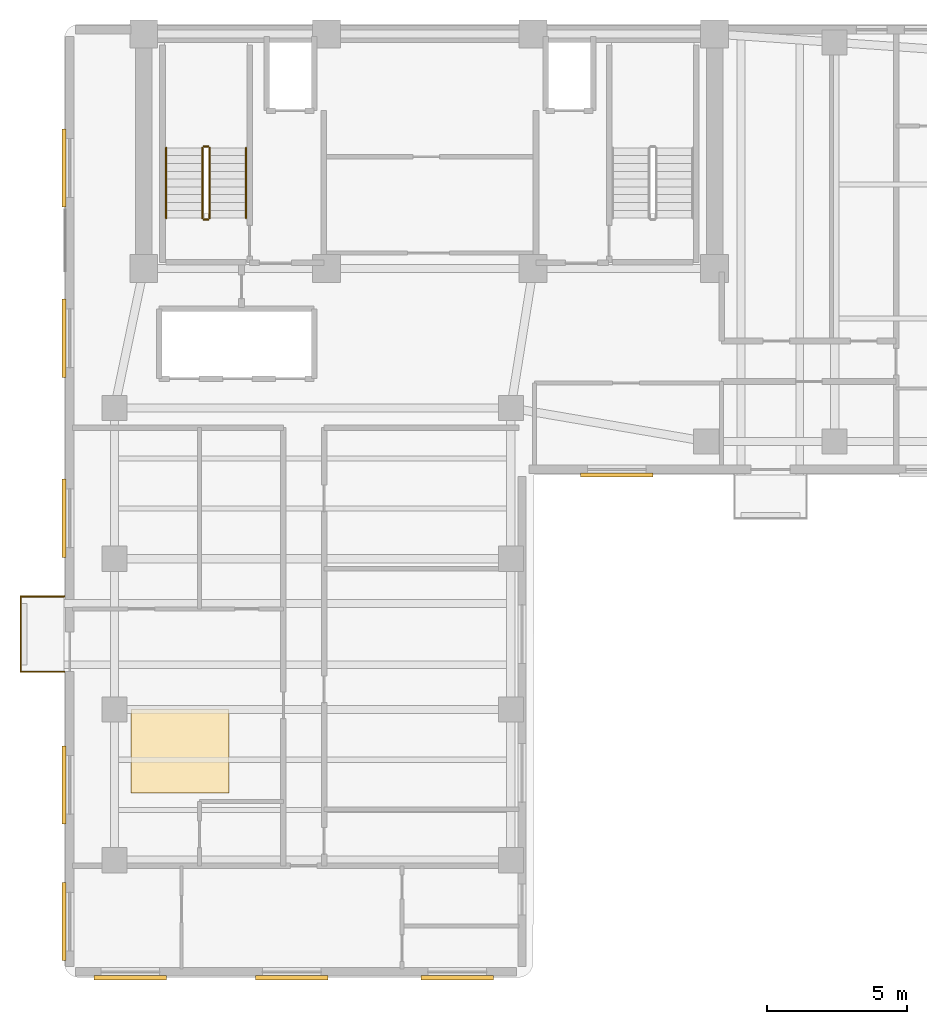
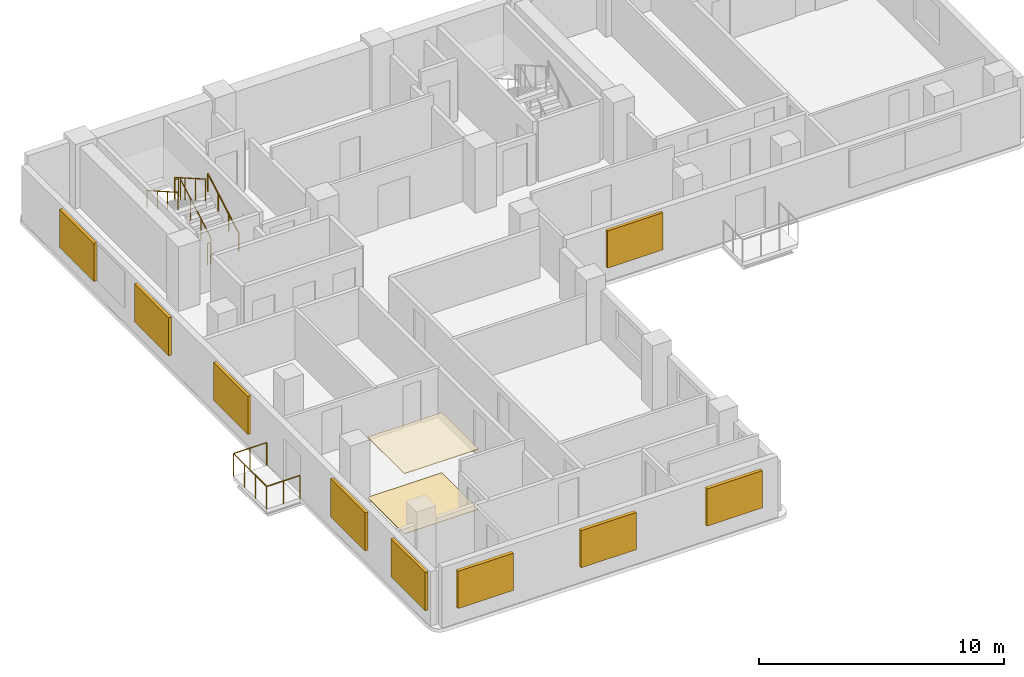
# One storey, part 6 of 7: 9 railings, 9 shading devices, 2 coverings.
"""IFC4 building model written with IfcOpenShell, lengths in metres."""

from ifc_helpers import new_model, si_unit, direction, frame, origin, origin_2d, place, context, subcontext, project, spatial, polyline, rectangle, circle, outline, extrude, material, layer, layer_set, type_object, element, save


model = new_model("IFC4")

# Units and contexts
model_context = context("Model", 3, precision=1e-05, world=origin(), true_north=direction((0.0, 1.0)))
body_context = subcontext(model_context, "Body", "Model", "MODEL_VIEW")
ifc_project = project(units=[si_unit("LENGTHUNIT", "METRE"), si_unit("AREAUNIT", "SQUARE_METRE"), si_unit("VOLUMEUNIT", "CUBIC_METRE"), si_unit("PLANEANGLEUNIT", "RADIAN"), si_unit("MASSUNIT", "GRAM", prefix="KILO")], contexts=[model_context])

# Site, building, storey
site_placement = place(None, origin())
site = spatial("IfcSite", under=ifc_project, at=site_placement, CompositionType="ELEMENT")
building_placement = place(site_placement, origin())
building = spatial("IfcBuilding", under=site, at=building_placement, Name="Kuzgunbayir Cultural Tower", CompositionType="ELEMENT")
storey_placement = place(building_placement, frame((0.0, 0.0, 185.60009765625)))
storey = spatial("IfcBuildingStorey", under=building, at=storey_placement, Name="L54", CompositionType="ELEMENT", Elevation=185.60009765625)

# Coverings
ifc_material_1 = material(Name="Perforated Gypsum Acoustic Tile", Category="gypsum")
ifc_layer_1 = layer(ifc_material_1, 0.02490234375)
ifc_layer_set_1 = layer_set([ifc_layer_1], Name="Perforated Gypsum Acoustic Tile")
covering_type_1 = type_object("IfcCoveringType", Name="COV-CEIL-ACOUSTIC", PredefinedType="CEILING", material=ifc_layer_set_1)
covering_1_placement = place(storey_placement, frame((0.0, 0.0, 2.989990234375)))
element("IfcCovering", 1, at=covering_1_placement, inside=storey, type_object=covering_type_1, Name="L54 Acoustic Soffit Ceiling", PredefinedType="CEILING", context=body_context, shape_type="SweptSolid", body=[
    extrude(outline(polyline([(6.0, 15.0), (9.5, 15.0), (9.5, 18.0), (6.0, 18.0), (6.0, 15.0)])), origin(), (0.0, 0.0, 1.0), 0.030029296875),
])
ifc_material_2 = material(Name="Engineered Anatolian Oak Parquet", Category="wood")
ifc_layer_2 = layer(ifc_material_2, 0.02197265625)
ifc_layer_set_2 = layer_set([ifc_layer_2], Name="Engineered Anatolian Oak Parquet")
covering_type_2 = type_object("IfcCoveringType", Name="COV-FLOOR-OAK", PredefinedType="FLOORING", material=ifc_layer_set_2)
covering_2_placement = place(storey_placement, origin())
element("IfcCovering", 2, at=covering_2_placement, inside=storey, type_object=covering_type_2, Name="L54 Acoustic Floor Finish", PredefinedType="FLOORING", context=body_context, shape_type="SweptSolid", body=[
    extrude(outline(polyline([(6.0, 15.0), (9.5, 15.0), (9.5, 18.0), (6.0, 18.0), (6.0, 15.0)])), origin(), (0.0, 0.0, 1.0), 0.02001953125),
])

# Railings
ifc_material_3 = material(Name="Laminated Glass and Stainless Steel", Category="steel")
ifc_layer_3 = layer(ifc_material_3, 0.080078125)
ifc_layer_set_3 = layer_set([ifc_layer_3], Name="Laminated Glass and Stainless Steel")
railing_type_1 = type_object("IfcRailingType", Name="RLG-BAL-115", PredefinedType="BALUSTRADE", material=ifc_layer_set_3)
railing_1_placement = place(storey_placement, frame((3.60009765625, 19.35009765625, 0.0)))
element("IfcRailing", 3, at=railing_1_placement, inside=storey, type_object=railing_type_1, Name="L54 Balcony Guard BAL-L54-WA2 Segment 1", PredefinedType="BALUSTRADE", context=body_context, shape_type="SweptSolid", body=[
    extrude(circle(Radius=0.02392578125, at=origin_2d()), frame((0.0, 0.0, 1.1259765625), z_axis=(-1.0, 0.0, 0.0), x_axis=(0.0, -1.0, 0.0)), (0.0, 0.0, 1.0), 1.56005859375),
    extrude(circle(Radius=0.02099609375, at=origin_2d()), origin(), (0.0, 0.0, 1.0), 1.101806640625),
    extrude(circle(Radius=0.02099609375, at=origin_2d()), frame((-0.780029296875, 0.0, 0.0)), (0.0, 0.0, 1.0), 1.101806640625),
    extrude(circle(Radius=0.02099609375, at=origin_2d()), frame((-1.56005859375, 0.0, 0.0)), (0.0, 0.0, 1.0), 1.101806640625),
])
railing_2_placement = place(storey_placement, frame((2.0400390625, 19.35009765625, 0.0)))
element("IfcRailing", 4, at=railing_2_placement, inside=storey, type_object=railing_type_1, Name="L54 Balcony Guard BAL-L54-WA2 Segment 2", PredefinedType="BALUSTRADE", context=body_context, shape_type="SweptSolid", body=[
    extrude(circle(Radius=0.02392578125, at=origin_2d()), frame((0.0, 0.0, 1.1259765625), z_axis=(0.0, 1.0, 0.0), x_axis=(-1.0, 0.0, 0.0)), (0.0, 0.0, 1.0), 2.699951171875),
    extrude(circle(Radius=0.02099609375, at=origin_2d()), origin(), (0.0, 0.0, 1.0), 1.101806640625),
    extrude(circle(Radius=0.02099609375, at=origin_2d()), frame((0.0, 0.89990234375, 0.0)), (0.0, 0.0, 1.0), 1.101806640625),
    extrude(circle(Radius=0.02099609375, at=origin_2d()), frame((0.0, 1.800048828125, 0.0)), (0.0, 0.0, 1.0), 1.101806640625),
    extrude(circle(Radius=0.02099609375, at=origin_2d()), frame((0.0, 2.699951171875, 0.0)), (0.0, 0.0, 1.0), 1.101806640625),
])
railing_3_placement = place(storey_placement, frame((2.0400390625, 22.050048828125, 0.0)))
element("IfcRailing", 5, at=railing_3_placement, inside=storey, type_object=railing_type_1, Name="L54 Balcony Guard BAL-L54-WA2 Segment 3", PredefinedType="BALUSTRADE", context=body_context, shape_type="SweptSolid", body=[
    extrude(circle(Radius=0.02392578125, at=origin_2d()), frame((0.0, 0.0, 1.1259765625), z_axis=(1.0, 0.0, 0.0), x_axis=(0.0, 1.0, 0.0)), (0.0, 0.0, 1.0), 1.56005859375),
    extrude(circle(Radius=0.02099609375, at=origin_2d()), origin(), (0.0, 0.0, 1.0), 1.101806640625),
    extrude(circle(Radius=0.02099609375, at=origin_2d()), frame((0.780029296875, 0.0, 0.0)), (0.0, 0.0, 1.0), 1.101806640625),
    extrude(circle(Radius=0.02099609375, at=origin_2d()), frame((1.56005859375, 0.0, 0.0)), (0.0, 0.0, 1.0), 1.101806640625),
])
ifc_material_4 = material(Name="Brushed Stainless Steel", Category="steel")
ifc_layer_4 = layer(ifc_material_4, 0.050048828125)
ifc_layer_set_4 = layer_set([ifc_layer_4], Name="Brushed Stainless Steel")
railing_type_2 = type_object("IfcRailingType", Name="RLG-STAIR-HANDRAIL", PredefinedType="HANDRAIL", material=ifc_layer_set_4)
railing_4_placement = place(storey_placement, frame((10.110107421875, 35.60009765625, 0.159912109375)))
element("IfcRailing", 6, at=railing_4_placement, inside=storey, type_object=railing_type_2, Name="L54 ST-1 stair handrail 1", PredefinedType="HANDRAIL", context=body_context, shape_type="SweptSolid", body=[
    extrude(circle(Radius=0.02392578125, at=origin_2d()), frame((0.0, 0.0, 0.8759765625), z_axis=(0.0, 0.868253494771, 0.496120820787), x_axis=(-1.0, 0.0, 0.0)), (0.0, 0.0, 1.0), 2.90234375),
    extrude(circle(Radius=0.02099609375, at=origin_2d()), origin(), (0.0, 0.0, 1.0), 0.851806640625),
    extrude(circle(Radius=0.02099609375, at=origin_2d()), frame((0.0, 0.840087890625, 0.47998046875)), (0.0, 0.0, 1.0), 0.851806640625),
    extrude(circle(Radius=0.02099609375, at=origin_2d()), frame((0.0, 1.679931640625, 0.9599609375)), (0.0, 0.0, 1.0), 0.851806640625),
    extrude(circle(Radius=0.02099609375, at=origin_2d()), frame((0.0, 2.52001953125, 1.43994140625)), (0.0, 0.0, 1.0), 0.851806640625),
])
railing_5_placement = place(storey_placement, frame((7.25, 38.1201171875, 1.760009765625)))
element("IfcRailing", 7, at=railing_5_placement, inside=storey, type_object=railing_type_2, Name="L54 ST-1 stair handrail 2", PredefinedType="HANDRAIL", context=body_context, shape_type="SweptSolid", body=[
    extrude(circle(Radius=0.02392578125, at=origin_2d()), frame((0.0, 0.0, 0.8759765625), z_axis=(0.0, -0.868253494771, 0.496120820787), x_axis=(1.0, 0.0, 0.0)), (0.0, 0.0, 1.0), 2.90234375),
    extrude(circle(Radius=0.02099609375, at=origin_2d()), origin(), (0.0, 0.0, 1.0), 0.851806640625),
    extrude(circle(Radius=0.02099609375, at=origin_2d()), frame((0.0, -0.840087890625, 0.47998046875)), (0.0, 0.0, 1.0), 0.851806640625),
    extrude(circle(Radius=0.02099609375, at=origin_2d()), frame((0.0, -1.679931640625, 0.9599609375)), (0.0, 0.0, 1.0), 0.851806640625),
    extrude(circle(Radius=0.02099609375, at=origin_2d()), frame((0.0, -2.52001953125, 1.43994140625)), (0.0, 0.0, 1.0), 0.851806640625),
])
ifc_material_5 = material(Name="Painted Steel Balustrade", Category="steel")
ifc_layer_5 = layer(ifc_material_5, 0.06005859375)
ifc_layer_set_5 = layer_set([ifc_layer_5], Name="Painted Steel Balustrade")
railing_type_3 = type_object("IfcRailingType", Name="RLG-WELL-GUARD", PredefinedType="GUARDRAIL", material=ifc_layer_set_5)
railing_6_placement = place(storey_placement, frame((8.81005859375, 35.60009765625, 0.159912109375)))
element("IfcRailing", 8, at=railing_6_placement, inside=storey, type_object=railing_type_3, Name="L54 ST-1 stair guard 1", PredefinedType="GUARDRAIL", context=body_context, shape_type="SweptSolid", body=[
    extrude(circle(Radius=0.02392578125, at=origin_2d()), frame((0.0, 0.0, 1.076171875), z_axis=(0.0, 0.868253494771, 0.496120820787), x_axis=(-1.0, 0.0, 0.0)), (0.0, 0.0, 1.0), 2.90234375),
    extrude(circle(Radius=0.02099609375, at=origin_2d()), origin(), (0.0, 0.0, 1.0), 1.052001953125),
    extrude(circle(Radius=0.02099609375, at=origin_2d()), frame((0.0, 0.840087890625, 0.47998046875)), (0.0, 0.0, 1.0), 1.052001953125),
    extrude(circle(Radius=0.02099609375, at=origin_2d()), frame((0.0, 1.679931640625, 0.9599609375)), (0.0, 0.0, 1.0), 1.052001953125),
    extrude(circle(Radius=0.02099609375, at=origin_2d()), frame((0.0, 2.52001953125, 1.43994140625)), (0.0, 0.0, 1.0), 1.052001953125),
])
railing_7_placement = place(storey_placement, frame((8.760009765625, 38.169921875, 1.599853515625)))
element("IfcRailing", 9, at=railing_7_placement, inside=storey, type_object=railing_type_3, Name="L54 ST-1 stair guard 2", PredefinedType="GUARDRAIL", context=body_context, shape_type="SweptSolid", body=[
    extrude(circle(Radius=0.02392578125, at=origin_2d()), frame((0.0, 0.0, 1.076171875), z_axis=(-1.0, 0.0, 0.0), x_axis=(0.0, -1.0, 0.0)), (0.0, 0.0, 1.0), 0.159912109375),
    extrude(circle(Radius=0.02099609375, at=origin_2d()), origin(), (0.0, 0.0, 1.0), 1.052001953125),
    extrude(circle(Radius=0.02099609375, at=origin_2d()), frame((-0.159912109375, 0.0, 0.0)), (0.0, 0.0, 1.0), 1.052001953125),
])
railing_8_placement = place(storey_placement, frame((8.550048828125, 38.1201171875, 1.760009765625)))
element("IfcRailing", 10, at=railing_8_placement, inside=storey, type_object=railing_type_3, Name="L54 ST-1 stair guard 3", PredefinedType="GUARDRAIL", context=body_context, shape_type="SweptSolid", body=[
    extrude(circle(Radius=0.02392578125, at=origin_2d()), frame((0.0, 0.0, 1.076171875), z_axis=(0.0, -0.868253494771, 0.496120820787), x_axis=(1.0, 0.0, 0.0)), (0.0, 0.0, 1.0), 2.90234375),
    extrude(circle(Radius=0.02099609375, at=origin_2d()), origin(), (0.0, 0.0, 1.0), 1.052001953125),
    extrude(circle(Radius=0.02099609375, at=origin_2d()), frame((0.0, -0.840087890625, 0.47998046875)), (0.0, 0.0, 1.0), 1.052001953125),
    extrude(circle(Radius=0.02099609375, at=origin_2d()), frame((0.0, -1.679931640625, 0.9599609375)), (0.0, 0.0, 1.0), 1.052001953125),
    extrude(circle(Radius=0.02099609375, at=origin_2d()), frame((0.0, -2.52001953125, 1.43994140625)), (0.0, 0.0, 1.0), 1.052001953125),
])
railing_9_placement = place(storey_placement, frame((8.760009765625, 35.550048828125, 0.0)))
element("IfcRailing", 11, at=railing_9_placement, inside=storey, type_object=railing_type_3, Name="L54 ST-1 stair guard 4", PredefinedType="GUARDRAIL", context=body_context, shape_type="SweptSolid", body=[
    extrude(circle(Radius=0.02392578125, at=origin_2d()), frame((0.0, 0.0, 1.076171875), z_axis=(-1.0, 0.0, 0.0), x_axis=(0.0, -1.0, 0.0)), (0.0, 0.0, 1.0), 0.159912109375),
    extrude(circle(Radius=0.02099609375, at=origin_2d()), origin(), (0.0, 0.0, 1.0), 1.052001953125),
    extrude(circle(Radius=0.02099609375, at=origin_2d()), frame((-0.159912109375, 0.0, 0.0)), (0.0, 0.0, 1.0), 1.052001953125),
])

# Shading devices
ifc_material_6 = material(Name="Perforated Bronze-Anodised Aluminium", Category="aluminium")
shading_device_type_1 = type_object("IfcShadingDeviceType", Name="SHD-SOLAR-BRONZE", PredefinedType="JALOUSIE", material=ifc_material_6)
for number, where, z_axis, x_axis, name in (
    (12, (3.590087890625, 24.85009765625, 0.699951171875), (0.0, 0.0, 1.0), (1.0, 0.0, 0.0), "L54 Perforated Bronze Solar Screen WAW5"),
    (13, (3.590087890625, 10.39990234375, 0.699951171875), (0.0, 0.0, 1.0), (1.0, 0.0, 0.0), "L54 Perforated Bronze Solar Screen WAW11"),
    (14, (3.590087890625, 15.300048828125, 0.699951171875), (0.0, 0.0, 1.0), (1.0, 0.0, 0.0), "L54 Perforated Bronze Solar Screen WAW12"),
    (15, (3.590087890625, 31.300048828125, 0.699951171875), (0.0, 0.0, 1.0), (1.0, 0.0, 0.0), "L54 Perforated Bronze Solar Screen WAW13"),
    (16, (3.590087890625, 37.39990234375, 0.699951171875), (0.0, 0.0, 1.0), (1.0, 0.0, 0.0), "L54 Perforated Bronze Solar Screen WAW14"),
):
    element("IfcShadingDevice", number, at=place(storey_placement, frame(where, z_axis=z_axis, x_axis=x_axis)), inside=storey, type_object=shading_device_type_1, Name=name, PredefinedType="JALOUSIE", context=body_context, shape_type="SweptSolid", body=[
        extrude(rectangle(XDim=0.139892578125, YDim=2.800048828125, at=origin_2d()), origin(), (0.0, 0.0, 1.0), 1.89990234375),
    ])
shading_device_placement = place(storey_placement, frame((23.39990234375, 26.39990234375, 0.724853515625), z_axis=(0.0, 0.0, 1.0), x_axis=(1.0, 0.0, 0.0)))
element("IfcShadingDevice", 17, at=shading_device_placement, inside=storey, type_object=shading_device_type_1, Name="L54 Solar Screen WBS17", PredefinedType="JALOUSIE", context=body_context, shape_type="SweptSolid", body=[
    extrude(rectangle(XDim=2.60009765625, YDim=0.139892578125, at=origin_2d()), origin(), (0.0, 0.0, 1.0), 1.85009765625),
])
ifc_material_7 = material(Name="Warm Terracotta Ceramic Baguette", Category="masonry")
shading_device_type_2 = type_object("IfcShadingDeviceType", Name="SHD-SOLAR-CERAMIC", PredefinedType="SHUTTER", material=ifc_material_7)
for number, where, z_axis, x_axis, name in (
    (18, (5.969970703125, 8.389892578125, 0.824951171875), (0.0, 0.0, 1.0), (1.0, 0.0, 0.0), "L54 Solar Screen WAS1"),
    (19, (11.75, 8.389892578125, 0.824951171875), (0.0, 0.0, 1.0), (1.0, 0.0, 0.0), "L54 Solar Screen WAS2"),
    (20, (17.679931640625, 8.389892578125, 0.824951171875), (0.0, 0.0, 1.0), (1.0, 0.0, 0.0), "L54 Solar Screen WAS3"),
):
    element("IfcShadingDevice", number, at=place(storey_placement, frame(where, z_axis=z_axis, x_axis=x_axis)), inside=storey, type_object=shading_device_type_2, Name=name, PredefinedType="SHUTTER", context=body_context, shape_type="SweptSolid", body=[
        extrude(rectangle(XDim=2.60009765625, YDim=0.159912109375, at=origin_2d()), origin(), (0.0, 0.0, 1.0), 1.85009765625),
    ])

save(model, "model.ifc")
